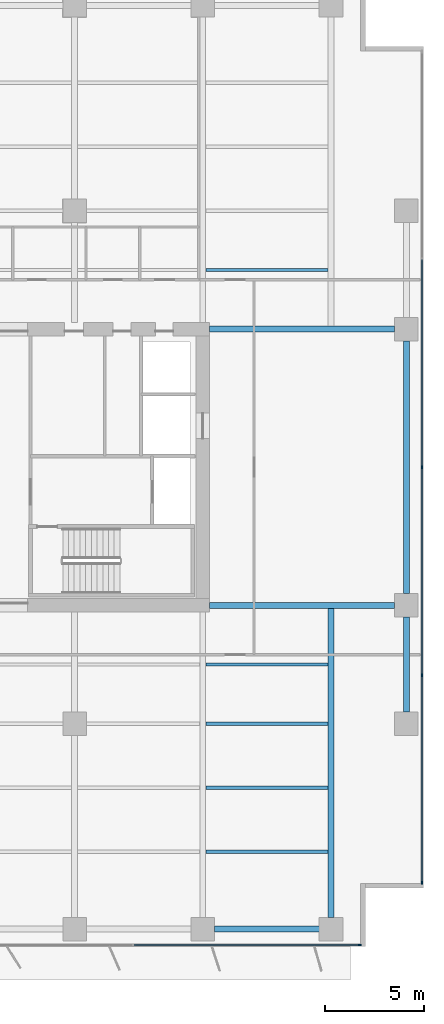
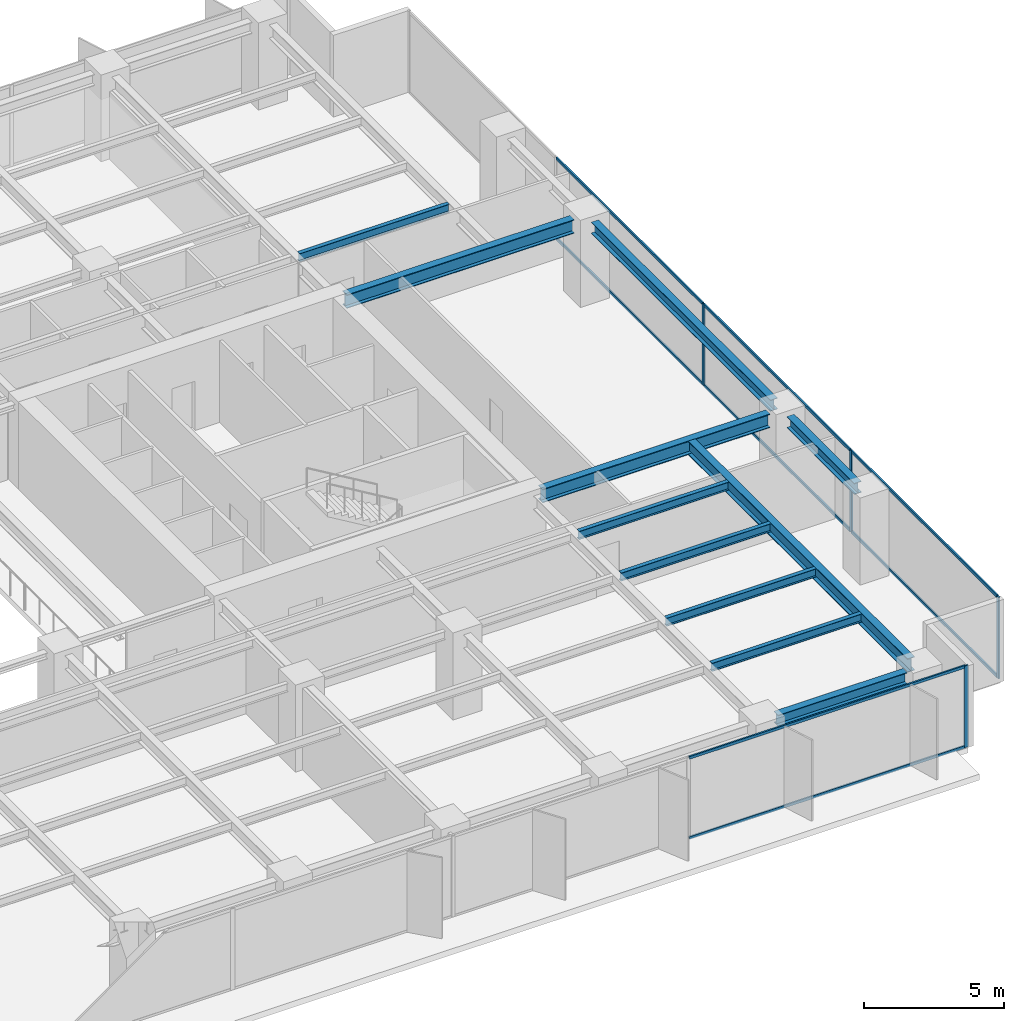
# One storey, part 10 of 19: 12 members, 11 beams, 2 elements without a shape of their own.
"""IFC4 building model written with IfcOpenShell, lengths in metres."""

from ifc_helpers import new_model, si_unit, direction, frame, origin, origin_2d, place, context, subcontext, project, spatial, rectangle, i_section, extrude, material, layer, layer_set, material_profile, profile_set, type_object, element, aggregate, save


model = new_model("IFC4")

# Units and contexts
model_context = context("Model", 3, precision=1e-05, world=origin(), true_north=direction((0.0, 1.0)))
body_context = subcontext(model_context, "Body", "Model", "MODEL_VIEW")
ifc_project = project(units=[si_unit("LENGTHUNIT", "METRE"), si_unit("AREAUNIT", "SQUARE_METRE"), si_unit("VOLUMEUNIT", "CUBIC_METRE"), si_unit("PLANEANGLEUNIT", "RADIAN"), si_unit("MASSUNIT", "GRAM", prefix="KILO")], contexts=[model_context])

# Site, building, storey
site_placement = place(None, origin())
site = spatial("IfcSite", under=ifc_project, at=site_placement, CompositionType="ELEMENT")
building_placement = place(site_placement, origin())
building = spatial("IfcBuilding", under=site, at=building_placement, Name="Putna Gate Headquarters", CompositionType="ELEMENT")
storey_placement = place(building_placement, frame((0.0, 0.0, 86.0)))
storey = spatial("IfcBuildingStorey", under=building, at=storey_placement, Name="L20", CompositionType="ELEMENT", Elevation=86.0)

# Beams
ifc_material_1 = material(Name="Steel S355J2", Category="steel")
ifc_material_profile_1 = material_profile(ifc_material_1, i_section(OverallWidth=0.300048828125, OverallDepth=0.60009765625, WebThickness=0.015380859375, FlangeThickness=0.030029296875, at=origin_2d()), Name="Steel S355J2")
ifc_profile_set_1 = profile_set([ifc_material_profile_1], Name="Steel S355J2")
beam_type_1 = type_object("IfcBeamType", Name="BM-GIRD-Z2-HEB600", PredefinedType="USERDEFINED", material=ifc_profile_set_1)
for number, where, z_axis, x_axis, name in (
    (1, (65.3349609375, 19.0, 3.264892578125), (1.0, 0.0, 0.0), (0.0, 1.0, 0.0), "L20 East Wing Girder Y19"),
    (2, (65.3349609375, 33.0, 3.264892578125), (1.0, 0.0, 0.0), (0.0, 1.0, 0.0), "L20 East Wing Girder Y33"),
):
    element("IfcBeam", number, at=place(storey_placement, frame(where, z_axis=z_axis, x_axis=x_axis)), inside=storey, type_object=beam_type_1, Name=name, ObjectType="GIRDER", PredefinedType="USERDEFINED", context=body_context, shape_type="SweptSolid", body=[
        extrude(i_section(OverallWidth=0.300048828125, OverallDepth=0.60009765625, WebThickness=0.015380859375, FlangeThickness=0.030029296875, at=origin_2d()), origin(), (0.0, 0.0, 1.0), 9.39697265625),
    ])
beam_1_placement = place(storey_placement, frame((71.5, 3.16796875, 3.264892578125), z_axis=(0.0, 1.0, 0.0), x_axis=(-1.0, 0.0, 0.0)))
element("IfcBeam", 3, at=beam_1_placement, inside=storey, type_object=beam_type_1, Name="L20 South Primary Girder X71", ObjectType="GIRDER", PredefinedType="USERDEFINED", context=body_context, shape_type="SweptSolid", body=[
    extrude(i_section(OverallWidth=0.300048828125, OverallDepth=0.60009765625, WebThickness=0.015380859375, FlangeThickness=0.030029296875, at=origin_2d()), origin(), (0.0, 0.0, 1.0), 15.820068359375),
])
ifc_material_profile_2 = material_profile(ifc_material_1, i_section(OverallWidth=0.169921875, OverallDepth=0.360107421875, WebThickness=0.008056640625, FlangeThickness=0.0126953125, at=origin_2d()), Name="Steel S355J2")
ifc_profile_set_2 = profile_set([ifc_material_profile_2], Name="Steel S355J2")
beam_type_2 = type_object("IfcBeamType", Name="BM-SEC-Z2-IPE360", PredefinedType="BEAM", material=ifc_profile_set_2)
for number, where, z_axis, x_axis, name in (
    (4, (65.154052734375, 6.5, 3.385009765625), (1.0, 0.0, 0.0), (0.0, 1.0, 0.0), "L20 South Secondary Beam 10"),
    (5, (65.154052734375, 9.75, 3.385009765625), (1.0, 0.0, 0.0), (0.0, 1.0, 0.0), "L20 South Secondary Beam 10"),
    (6, (65.154052734375, 13.0, 3.385009765625), (1.0, 0.0, 0.0), (0.0, 1.0, 0.0), "L20 South Secondary Beam 10"),
    (7, (65.154052734375, 16.0, 3.385009765625), (1.0, 0.0, 0.0), (0.0, 1.0, 0.0), "L20 South Secondary Beam 10"),
    (8, (65.154052734375, 36.0, 3.385009765625), (1.0, 0.0, 0.0), (0.0, 1.0, 0.0), "L20 North Secondary Beam 10"),
):
    element("IfcBeam", number, at=place(storey_placement, frame(where, z_axis=z_axis, x_axis=x_axis)), inside=storey, type_object=beam_type_2, Name=name, PredefinedType="BEAM", context=body_context, shape_type="SweptSolid", body=[
        extrude(i_section(OverallWidth=0.169921875, OverallDepth=0.360107421875, WebThickness=0.008056640625, FlangeThickness=0.0126953125, at=origin_2d()), origin(), (0.0, 0.0, 1.0), 6.19189453125),
    ])
ifc_material_profile_3 = material_profile(ifc_material_1, i_section(OverallWidth=0.300048828125, OverallDepth=0.489990234375, WebThickness=0.011962890625, FlangeThickness=0.02294921875, at=origin_2d()), Name="Steel S355J2")
ifc_profile_set_3 = profile_set([ifc_material_profile_3], Name="Steel S355J2")
beam_type_3 = type_object("IfcBeamType", Name="BM-SPAN-Z2-HEA500", PredefinedType="SPANDREL", material=ifc_profile_set_3)
beam_2_placement = place(storey_placement, frame((65.587890625, 2.580078125, 3.320068359375), z_axis=(1.0, 0.0, 0.0), x_axis=(0.0, 1.0, 0.0)))
element("IfcBeam", 9, at=beam_2_placement, inside=storey, type_object=beam_type_3, Name="L20 S Perimeter Spandrel 10", PredefinedType="SPANDREL", context=body_context, shape_type="SweptSolid", body=[
    extrude(i_section(OverallWidth=0.300048828125, OverallDepth=0.489990234375, WebThickness=0.011962890625, FlangeThickness=0.02294921875, at=origin_2d()), origin(), (0.0, 0.0, 1.0), 5.32421875),
])
beam_3_placement = place(storey_placement, frame((75.320068359375, 13.587890625, 3.320068359375), z_axis=(0.0, 1.0, 0.0), x_axis=(-1.0, 0.0, 0.0)))
element("IfcBeam", 10, at=beam_3_placement, inside=storey, type_object=beam_type_3, Name="L20 E End Spandrel 1", PredefinedType="SPANDREL", context=body_context, shape_type="SweptSolid", body=[
    extrude(i_section(OverallWidth=0.300048828125, OverallDepth=0.489990234375, WebThickness=0.011962890625, FlangeThickness=0.02294921875, at=origin_2d()), origin(), (0.0, 0.0, 1.0), 4.82421875),
])
beam_4_placement = place(storey_placement, frame((75.320068359375, 19.587890625, 3.320068359375), z_axis=(0.0, 1.0, 0.0), x_axis=(-1.0, 0.0, 0.0)))
element("IfcBeam", 11, at=beam_4_placement, inside=storey, type_object=beam_type_3, Name="L20 E End Spandrel 2", PredefinedType="SPANDREL", context=body_context, shape_type="SweptSolid", body=[
    extrude(i_section(OverallWidth=0.300048828125, OverallDepth=0.489990234375, WebThickness=0.011962890625, FlangeThickness=0.02294921875, at=origin_2d()), origin(), (0.0, 0.0, 1.0), 12.82421875),
])

# Curtain wall, member
ifc_material_2 = material(Name="Anodised bronze aluminium curtain wall", Category="aluminium")
ifc_layer = layer(ifc_material_2, 0.159912109375)
ifc_layer_set = layer_set([ifc_layer], Name="Anodised bronze aluminium curtain wall")
curtain_wall_type = type_object("IfcCurtainWallType", Name="CW-SYS-Z2", PredefinedType="USERDEFINED", material=ifc_layer_set)
curtain_wall_1_placement = place(storey_placement, origin())
curtain_wall_1 = element("IfcCurtainWall", 12, at=curtain_wall_1_placement, inside=storey, type_object=curtain_wall_type, Name="L20 South East Curtain Wall", ObjectType="STICK CURTAIN WALL", PredefinedType="USERDEFINED")
ifc_material_3 = material(Name="Anodised bronze aluminium EN AW-6060", Category="aluminium")
ifc_material_profile_4 = material_profile(ifc_material_3, rectangle(XDim=0.06494140625, YDim=0.159912109375, at=origin_2d()), Name="Anodised bronze aluminium EN AW-6060")
ifc_profile_set_4 = profile_set([ifc_material_profile_4], Name="Anodised bronze aluminium EN AW-6060")
member_type_1 = type_object("IfcMemberType", Name="MULL-CWM-2", PredefinedType="MULLION", material=ifc_profile_set_4)
member_1_placement = place(storey_placement, frame((72.967529296875, 1.780029296875, 0.0), z_axis=(0.0, 0.0, 1.0), x_axis=(0.0, 1.0, 0.0)))
member_1 = element("IfcMember", 13, at=member_1_placement, type_object=member_type_1, Name="CWS-2 mullion 3", PredefinedType="MULLION", context=body_context, shape_type="SweptSolid", body=[
    extrude(rectangle(XDim=0.06494140625, YDim=0.159912109375, at=origin_2d()), origin(), (0.0, 0.0, 1.0), 3.56494140625),
])

# Curtain wall, members
curtain_wall_2_placement = place(storey_placement, origin())
curtain_wall_2 = element("IfcCurtainWall", 14, at=curtain_wall_2_placement, inside=storey, type_object=curtain_wall_type, Name="L20 East Curtain Wall", ObjectType="STICK CURTAIN WALL", PredefinedType="USERDEFINED")
member_2_placement = place(storey_placement, frame((76.1201171875, 4.9326171875, 0.0), z_axis=(0.0, 0.0, 1.0), x_axis=(-1.0, 0.0, 0.0)))
member_2 = element("IfcMember", 15, at=member_2_placement, type_object=member_type_1, Name="CWS-2 mullion 1", PredefinedType="MULLION", context=body_context, shape_type="SweptSolid", body=[
    extrude(rectangle(XDim=0.06494140625, YDim=0.159912109375, at=origin_2d()), origin(), (0.0, 0.0, 1.0), 3.56494140625),
])
member_3_placement = place(storey_placement, frame((76.1201171875, 15.449951171875, 0.0), z_axis=(0.0, 0.0, 1.0), x_axis=(-1.0, 0.0, 0.0)))
member_3 = element("IfcMember", 16, at=member_3_placement, type_object=member_type_1, Name="CWS-2 mullion 2", PredefinedType="MULLION", context=body_context, shape_type="SweptSolid", body=[
    extrude(rectangle(XDim=0.06494140625, YDim=0.159912109375, at=origin_2d()), origin(), (0.0, 0.0, 1.0), 3.56494140625),
])
member_4_placement = place(storey_placement, frame((76.1201171875, 26.0, 0.0), z_axis=(0.0, 0.0, 1.0), x_axis=(-1.0, 0.0, 0.0)))
member_4 = element("IfcMember", 17, at=member_4_placement, type_object=member_type_1, Name="CWS-2 mullion 3", PredefinedType="MULLION", context=body_context, shape_type="SweptSolid", body=[
    extrude(rectangle(XDim=0.06494140625, YDim=0.159912109375, at=origin_2d()), origin(), (0.0, 0.0, 1.0), 3.56494140625),
])

# Member
ifc_material_profile_5 = material_profile(ifc_material_3, rectangle(XDim=0.06494140625, YDim=0.1201171875, at=origin_2d()), Name="Anodised bronze aluminium EN AW-6060")
ifc_profile_set_5 = profile_set([ifc_material_profile_5], Name="Anodised bronze aluminium EN AW-6060")
member_type_2 = type_object("IfcMemberType", Name="TRAN-CWT-2", PredefinedType="USERDEFINED", material=ifc_profile_set_5)
member_5_placement = place(storey_placement, frame((61.532470703125, 1.780029296875, 0.032470703125), z_axis=(1.0, 0.0, 0.0), x_axis=(0.0, 1.0, 0.0)))
member_5 = element("IfcMember", 18, at=member_5_placement, type_object=member_type_2, Name="CWS-2 transom 2.1", ObjectType="TRANSOM", PredefinedType="USERDEFINED", context=body_context, shape_type="SweptSolid", body=[
    extrude(rectangle(XDim=0.06494140625, YDim=0.1201171875, at=origin_2d()), origin(), (0.0, 0.0, 1.0), 11.402587890625),
])

member_6_placement = place(storey_placement, frame((61.532470703125, 1.780029296875, 3.532470703125), z_axis=(1.0, 0.0, 0.0), x_axis=(0.0, 1.0, 0.0)))
member_6 = element("IfcMember", 19, at=member_6_placement, type_object=member_type_2, Name="CWS-2 transom 2.2", ObjectType="TRANSOM", PredefinedType="USERDEFINED", context=body_context, shape_type="SweptSolid", body=[
    extrude(rectangle(XDim=0.06494140625, YDim=0.1201171875, at=origin_2d()), origin(), (0.0, 0.0, 1.0), 11.402587890625),
])

aggregate(curtain_wall_1, [member_1, member_5, member_6])

member_7_placement = place(storey_placement, frame((76.1201171875, 4.965087890625, 0.032470703125), z_axis=(0.0, 1.0, 0.0), x_axis=(-1.0, 0.0, 0.0)))
member_7 = element("IfcMember", 20, at=member_7_placement, type_object=member_type_2, Name="CWS-2 transom 1.1", ObjectType="TRANSOM", PredefinedType="USERDEFINED", context=body_context, shape_type="SweptSolid", body=[
    extrude(rectangle(XDim=0.06494140625, YDim=0.1201171875, at=origin_2d()), origin(), (0.0, 0.0, 1.0), 10.452392578125),
])

member_8_placement = place(storey_placement, frame((76.1201171875, 4.965087890625, 3.532470703125), z_axis=(0.0, 1.0, 0.0), x_axis=(-1.0, 0.0, 0.0)))
member_8 = element("IfcMember", 21, at=member_8_placement, type_object=member_type_2, Name="CWS-2 transom 1.2", ObjectType="TRANSOM", PredefinedType="USERDEFINED", context=body_context, shape_type="SweptSolid", body=[
    extrude(rectangle(XDim=0.06494140625, YDim=0.1201171875, at=origin_2d()), origin(), (0.0, 0.0, 1.0), 10.452392578125),
])

member_9_placement = place(storey_placement, frame((76.1201171875, 15.482421875, 0.032470703125), z_axis=(0.0, 1.0, 0.0), x_axis=(-1.0, 0.0, 0.0)))
member_9 = element("IfcMember", 22, at=member_9_placement, type_object=member_type_2, Name="CWS-2 transom 2.1", ObjectType="TRANSOM", PredefinedType="USERDEFINED", context=body_context, shape_type="SweptSolid", body=[
    extrude(rectangle(XDim=0.06494140625, YDim=0.1201171875, at=origin_2d()), origin(), (0.0, 0.0, 1.0), 10.485107421875),
])

member_10_placement = place(storey_placement, frame((76.1201171875, 15.482421875, 3.532470703125), z_axis=(0.0, 1.0, 0.0), x_axis=(-1.0, 0.0, 0.0)))
member_10 = element("IfcMember", 23, at=member_10_placement, type_object=member_type_2, Name="CWS-2 transom 2.2", ObjectType="TRANSOM", PredefinedType="USERDEFINED", context=body_context, shape_type="SweptSolid", body=[
    extrude(rectangle(XDim=0.06494140625, YDim=0.1201171875, at=origin_2d()), origin(), (0.0, 0.0, 1.0), 10.485107421875),
])

member_11_placement = place(storey_placement, frame((76.1201171875, 26.032470703125, 0.032470703125), z_axis=(0.0, 1.0, 0.0), x_axis=(-1.0, 0.0, 0.0)))
member_11 = element("IfcMember", 24, at=member_11_placement, type_object=member_type_2, Name="CWS-2 transom 3.1", ObjectType="TRANSOM", PredefinedType="USERDEFINED", context=body_context, shape_type="SweptSolid", body=[
    extrude(rectangle(XDim=0.06494140625, YDim=0.1201171875, at=origin_2d()), origin(), (0.0, 0.0, 1.0), 10.485107421875),
])

member_12_placement = place(storey_placement, frame((76.1201171875, 26.032470703125, 3.532470703125), z_axis=(0.0, 1.0, 0.0), x_axis=(-1.0, 0.0, 0.0)))
member_12 = element("IfcMember", 25, at=member_12_placement, type_object=member_type_2, Name="CWS-2 transom 3.2", ObjectType="TRANSOM", PredefinedType="USERDEFINED", context=body_context, shape_type="SweptSolid", body=[
    extrude(rectangle(XDim=0.06494140625, YDim=0.1201171875, at=origin_2d()), origin(), (0.0, 0.0, 1.0), 10.485107421875),
])

aggregate(curtain_wall_2, [member_2, member_3, member_4, member_7, member_8, member_9, member_10, member_11, member_12])

save(model, "model.ifc")
